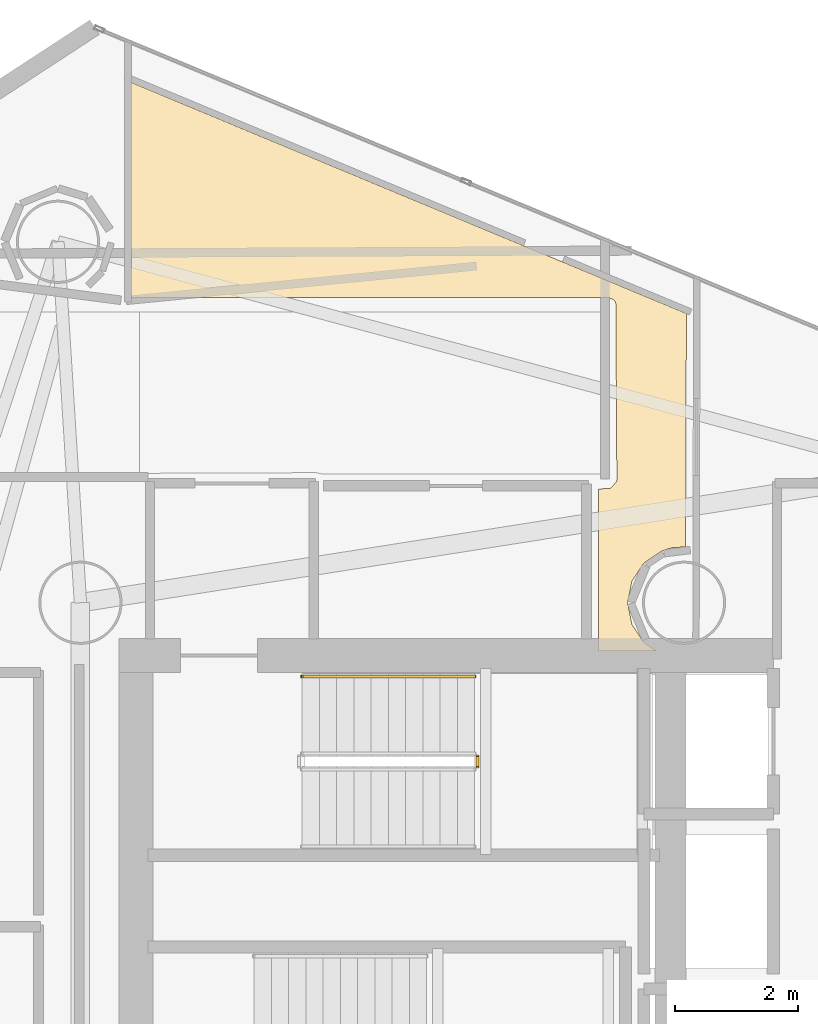
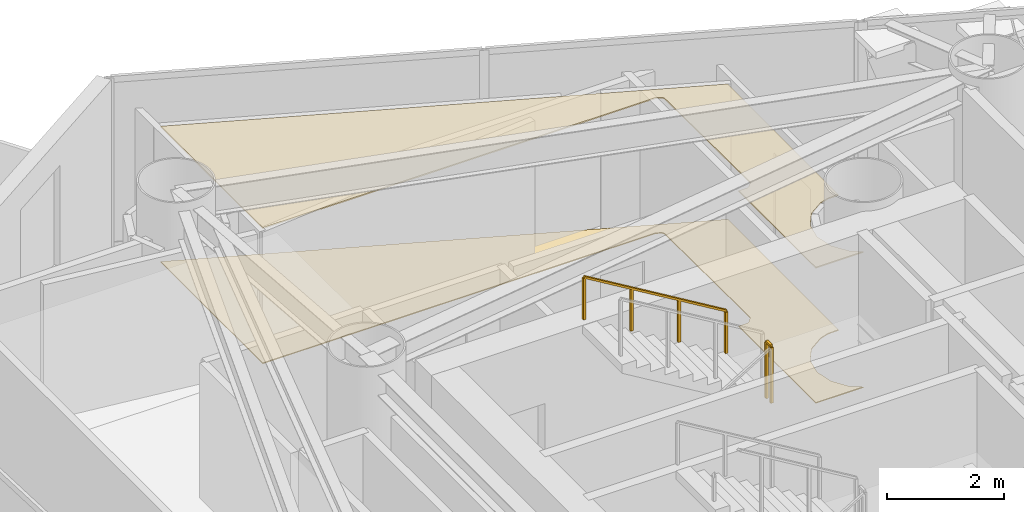
# One storey, part 22 of 22: 2 coverings, 2 railings.
"""IFC4 building model written with IfcOpenShell, lengths in metres."""

import ifcopenshell
import ifcopenshell.guid

model = None  # the IFC model being written
_history = None  # IfcOwnerHistory: only IFC2X3 demands one
_inside = {}  # id of a spatial element -> (the spatial element, [elements in it])
_under = {}  # id of a project, library or spatial element -> (it, [spatial elements below it])
_declared = {}  # id of a project -> (the project, [libraries it declares])
_typed = {}  # id of a type object -> (the type object, [elements of that type])
_made_of = {}  # id of a material, layer set ... -> (it, [elements and type objects made of it])


def new_model(schema):
    """Start an empty IFC model of exactly this schema.

    Asked for "IFC4X3", IfcOpenShell would pick the latest addendum, in which some entities
    have other attributes; the version numbers below select the first issue.
    IFC2X3 requires an IfcOwnerHistory on every rooted entity: one is made here for all.
    """
    global model, _history
    if schema == "IFC4X3":
        model = ifcopenshell.file(schema_version=(4, 3, 0, 0))
    else:
        model = ifcopenshell.file(schema=schema)
    _inside.clear()
    _under.clear()
    _declared.clear()
    _typed.clear()
    _made_of.clear()
    _history = None
    if model.schema == "IFC2X3":
        org = make("IfcOrganization", Name="unknown")
        user = make(
            "IfcPersonAndOrganization",
            ThePerson=make("IfcPerson", FamilyName="unknown"),
            TheOrganization=org,
        )
        app = make(
            "IfcApplication",
            ApplicationDeveloper=org,
            Version="unknown",
            ApplicationFullName="unknown",
            ApplicationIdentifier="unknown",
        )
        _history = make(
            "IfcOwnerHistory",
            OwningUser=user,
            OwningApplication=app,
            ChangeAction="ADDED",
            CreationDate=0,
        )
    return model


def make(cls, **values):
    """One entity of the class cls with the attributes given. An attribute that is None is left unset."""
    return model.create_entity(
        cls, **{name: value for name, value in values.items() if value is not None}
    )


def rooted(cls, **values):
    """An entity with a GlobalId (a new one), such as an element, a storey or a relation."""
    return make(cls, GlobalId=ifcopenshell.guid.new(), OwnerHistory=_history, **values)


def si_unit(unit_type, name, prefix=None):
    """IfcSIUnit, for example si_unit("LENGTHUNIT", "METRE", prefix="MILLI")."""
    return make("IfcSIUnit", UnitType=unit_type, Prefix=prefix, Name=name)


def assignment(units):
    """IfcUnitAssignment: the units of a project."""
    return None if units is None else make("IfcUnitAssignment", Units=units)


def point(xyz):
    """IfcCartesianPoint."""
    return None if xyz is None else make("IfcCartesianPoint", Coordinates=xyz)


def direction(xyz):
    """IfcDirection."""
    return None if xyz is None else make("IfcDirection", DirectionRatios=xyz)


def frame(location, z_axis=None, x_axis=None):
    """IfcAxis2Placement3D, a coordinate frame: its origin and axes. An axis left out is left unset."""
    return make(
        "IfcAxis2Placement3D",
        Location=point(location),
        Axis=direction(z_axis),
        RefDirection=direction(x_axis),
    )


def frame_2d(location, x_axis=None):
    """IfcAxis2Placement2D, a coordinate frame in the plane: its origin and x axis."""
    return make(
        "IfcAxis2Placement2D", Location=point(location), RefDirection=direction(x_axis)
    )


def origin():
    """The frame at (0, 0, 0) with its axes left unset."""
    return frame((0.0, 0.0, 0.0))


def origin_2d():
    """The frame at (0, 0) in the plane with its x axis left unset."""
    return frame_2d((0.0, 0.0))


def place(relative_to, where):
    """IfcLocalPlacement: puts the frame where relative to a parent placement (None: the world)."""
    return make(
        "IfcLocalPlacement", PlacementRelTo=relative_to, RelativePlacement=where
    )


def context(
    kind, dimensions, precision=None, world=None, true_north=None, identifier=None
):
    """IfcGeometricRepresentationContext, for example the 3D "Model" context."""
    return make(
        "IfcGeometricRepresentationContext",
        ContextIdentifier=identifier,
        ContextType=kind,
        CoordinateSpaceDimension=dimensions,
        Precision=precision,
        WorldCoordinateSystem=world,
        TrueNorth=true_north,
    )


def subcontext(parent, identifier, kind, view, scale=None):
    """IfcGeometricRepresentationSubContext, for example "Body" below "Model"."""
    return make(
        "IfcGeometricRepresentationSubContext",
        ContextIdentifier=identifier,
        ContextType=kind,
        ParentContext=parent,
        TargetScale=scale,
        TargetView=view,
    )


def project(units=None, contexts=None):
    """IfcProject with its units and contexts."""
    return rooted(
        "IfcProject",
        Name="project",
        RepresentationContexts=contexts,
        UnitsInContext=assignment(units),
    )


def spatial(cls, under=None, at=None, **own):
    """A site, building, storey or space (cls), placed at a placement, below another one or the project."""
    s = rooted(cls, ObjectPlacement=at, **own)
    if under is not None:
        _under.setdefault(under.id(), (under, []))[1].append(s)
    return s


def polyline(points):
    """IfcPolyline through the points."""
    return make("IfcPolyline", Points=[point(p) for p in points])


def profile(cls, at=None, kind="AREA", **sizes):
    """A parametric profile (cls). Its sizes go by their IFC names, for example OverallWidth=200.0."""
    return make(cls, ProfileType=kind, Position=at, **sizes)


def rectangle(**sizes):
    """IfcRectangleProfileDef."""
    return profile("IfcRectangleProfileDef", **sizes)


def outline(outer, holes=None, kind="AREA"):
    """IfcArbitraryClosedProfileDef: a profile drawn as a closed curve; with holes, ...WithVoids."""
    if holes is None:
        return make("IfcArbitraryClosedProfileDef", ProfileType=kind, OuterCurve=outer)
    return make(
        "IfcArbitraryProfileDefWithVoids",
        ProfileType=kind,
        OuterCurve=outer,
        InnerCurves=holes,
    )


def extrude(swept, where, along, depth):
    """IfcExtrudedAreaSolid: the profile swept, set in the frame where, extruded along a direction by depth."""
    return make(
        "IfcExtrudedAreaSolid",
        SweptArea=swept,
        Position=where,
        ExtrudedDirection=direction(along),
        Depth=depth,
    )


def shape(context_of_items, identifier, shape_type, items):
    """IfcShapeRepresentation: the items that make up one representation, for example the "Body"."""
    return make(
        "IfcShapeRepresentation",
        ContextOfItems=context_of_items,
        RepresentationIdentifier=identifier,
        RepresentationType=shape_type,
        Items=items,
    )


def material(Name=None, Category=None):
    """IfcMaterial."""
    return make("IfcMaterial", Name=Name, Category=Category)


def layer(
    of_material, thickness, ventilated=None, Name=None, Category=None, Priority=None
):
    """IfcMaterialLayer: one layer of a wall or slab, of a material (None: an air gap)."""
    return make(
        "IfcMaterialLayer",
        Material=of_material,
        LayerThickness=thickness,
        IsVentilated=ventilated,
        Name=Name,
        Category=Category,
        Priority=Priority,
    )


def layer_set(layers, Name=None):
    """IfcMaterialLayerSet."""
    return make("IfcMaterialLayerSet", MaterialLayers=layers, LayerSetName=Name)


def made_of(thing, what):
    """Note that an element or type object is made of a material, layer set ...; save() writes the relation."""
    if what is not None:
        _made_of.setdefault(what.id(), (what, []))[1].append(thing)
    return thing


def type_object(cls, material=None, **own):
    """A type object (cls), such as IfcWallType, which elements share."""
    return made_of(rooted(cls, **own), material)


def element(
    cls,
    number,
    at=None,
    inside=None,
    cuts=None,
    type_object=None,
    material=None,
    context=None,
    identifier="Body",
    shape_type=None,
    held_by="IfcProductDefinitionShape",
    body=None,
    shapes=None,
    **own,
):
    """One element of the class cls, such as IfcWall. Its Tag is "e" and its number.

    at: its placement. inside: the storey or other place that contains it. cuts: it is an
    opening in that element (IfcRelVoidsElement). A single representation is given by context,
    identifier, shape_type and body (its items); several are given by shapes. held_by: the class
    of the entity that holds the representations. save() writes the other relations.
    """
    e = rooted(cls, Tag="e%d" % number, ObjectPlacement=at, **own)
    if body is not None:
        shapes = [shape(context, identifier, shape_type, body)]
    if shapes is not None:
        e.Representation = make(held_by, Representations=shapes)
    if inside is not None:
        _inside.setdefault(inside.id(), (inside, []))[1].append(e)
    if cuts is not None:
        rooted(
            "IfcRelVoidsElement", RelatingBuildingElement=cuts, RelatedOpeningElement=e
        )
    if type_object is not None:
        _typed.setdefault(type_object.id(), (type_object, []))[1].append(e)
    return made_of(e, material)


def aggregate(whole, parts):
    """IfcRelAggregates: a whole, such as a stair, and the parts it consists of."""
    return rooted("IfcRelAggregates", RelatingObject=whole, RelatedObjects=parts)


def save(model, path):
    """Write the relations noted so far, then the file.

    IfcRelAggregates (storeys below a building ...), IfcRelContainedInSpatialStructure (elements
    in a storey), IfcRelDefinesByType, IfcRelAssociatesMaterial and IfcRelDeclares: one each for
    every whole, place, type object, material and project.
    """
    for whole, parts in _under.values():
        aggregate(whole, parts)
    for where, things in _inside.values():
        rooted(
            "IfcRelContainedInSpatialStructure",
            RelatedElements=things,
            RelatingStructure=where,
        )
    for kind, things in _typed.values():
        rooted("IfcRelDefinesByType", RelatedObjects=things, RelatingType=kind)
    for what, things in _made_of.values():
        rooted("IfcRelAssociatesMaterial", RelatedObjects=things, RelatingMaterial=what)
    for by, libraries in _declared.values():
        rooted("IfcRelDeclares", RelatingContext=by, RelatedDefinitions=libraries)
    model.write(path)


model = new_model("IFC4")

# Units and contexts
model_context = context("Model", 3, precision=1e-05, world=origin(), true_north=direction((0.0, 1.0)))
body_context = subcontext(model_context, "Body", "Model", "MODEL_VIEW")
ifc_project = project(units=[si_unit("LENGTHUNIT", "METRE"), si_unit("AREAUNIT", "SQUARE_METRE"), si_unit("VOLUMEUNIT", "CUBIC_METRE"), si_unit("PLANEANGLEUNIT", "RADIAN"), si_unit("MASSUNIT", "GRAM", prefix="KILO")], contexts=[model_context])

# Site, building, storey
site_placement = place(None, origin())
site = spatial("IfcSite", under=ifc_project, at=site_placement, CompositionType="ELEMENT")
building_placement = place(site_placement, origin())
building = spatial("IfcBuilding", under=site, at=building_placement, Name="Qianvela Tower", CompositionType="ELEMENT")
storey_placement = place(building_placement, frame((0.0, 0.0, 158.699951171875)))
storey = spatial("IfcBuildingStorey", under=building, at=storey_placement, Name="L40", CompositionType="ELEMENT", Elevation=158.699951171875)

# Coverings
ifc_material_1 = material(Name="Perforated Mineral Acoustic Ceiling Tile")
ifc_layer_1 = layer(ifc_material_1, 0.02490234375)
ifc_layer_set_1 = layer_set([ifc_layer_1], Name="Perforated Mineral Acoustic Ceiling Tile")
covering_type_1 = type_object("IfcCoveringType", Name="COV-CEIL-ACOUSTIC-25", PredefinedType="CEILING", material=ifc_layer_set_1)
covering_1_placement = place(storey_placement, frame((0.0, 0.0, 2.81494140625)))
element("IfcCovering", 1, at=covering_1_placement, inside=storey, type_object=covering_type_1, Name="L40 Acoustic Ceiling Quiet Reading Study L40-04", PredefinedType="CEILING", context=body_context, shape_type="SweptSolid", body=[
    extrude(outline(polyline([(37.94921875, 32.77001953125), (37.010009765625, 32.77001953125), (37.010009765625, 35.400390625), (37.166015625, 35.401611328125), (37.17431640625, 35.402099609375), (37.1826171875, 35.4033203125), (37.1904296875, 35.405517578125), (37.1982421875, 35.408447265625), (37.20556640625, 35.412353515625), (37.212646484375, 35.416748046875), (37.218994140625, 35.422119140625), (37.224853515625, 35.427734375), (37.288818359375, 35.498291015625), (37.293701171875, 35.504150390625), (37.2978515625, 35.51025390625), (37.301513671875, 35.516845703125), (37.30419921875, 35.523681640625), (37.306640625, 35.530517578125), (37.308349609375, 35.537841796875), (37.309326171875, 35.545166015625), (37.3095703125, 35.552734375), (37.291748046875, 38.4013671875), (37.29150390625, 38.409423828125), (37.2900390625, 38.41748046875), (37.2880859375, 38.42529296875), (37.28515625, 38.43310546875), (37.281494140625, 38.440185546875), (37.277099609375, 38.447021484375), (37.27197265625, 38.45361328125), (37.266357421875, 38.45947265625), (37.260009765625, 38.464599609375), (37.253173828125, 38.46923828125), (37.24609375, 38.47314453125), (37.18408203125, 38.502197265625), (37.176025390625, 38.505615234375), (37.16748046875, 38.508056640625), (37.15869140625, 38.509521484375), (37.14990234375, 38.510009765625), (29.422119140625, 38.510009765625), (29.422119140625, 41.998046875), (38.4384765625, 38.24609375), (38.426025390625, 34.452880859375), (38.2353515625, 34.448974609375), (38.22802734375, 34.448486328125), (38.220947265625, 34.447265625), (38.2138671875, 34.445556640625), (38.05712890625, 34.39794921875), (38.0498046875, 34.395263671875), (38.042724609375, 34.39208984375), (38.035888671875, 34.387939453125), (37.76513671875, 34.20703125), (37.7587890625, 34.202392578125), (37.7529296875, 34.197021484375), (37.747802734375, 34.191162109375), (37.742919921875, 34.184814453125), (37.56201171875, 33.9140625), (37.55810546875, 33.9072265625), (37.5546875, 33.900146484375), (37.552001953125, 33.892822265625), (37.550048828125, 33.885009765625), (37.486572265625, 33.565673828125), (37.4853515625, 33.557861328125), (37.485107421875, 33.550048828125), (37.4853515625, 33.542236328125), (37.486572265625, 33.534423828125), (37.550048828125, 33.21484375), (37.552001953125, 33.207275390625), (37.5546875, 33.19970703125), (37.55810546875, 33.192626953125), (37.56201171875, 33.18603515625), (37.742919921875, 32.9150390625), (37.747802734375, 32.90869140625), (37.7529296875, 32.903076171875), (37.7587890625, 32.897705078125), (37.76513671875, 32.89306640625), (37.94921875, 32.77001953125)])), origin(), (0.0, 0.0, 1.0), 0.025146484375),
])
ifc_material_2 = material(Name="Engineered Acoustic Oak Timber Flooring", Category="wood")
ifc_layer_2 = layer(ifc_material_2, 0.02001953125)
ifc_layer_set_2 = layer_set([ifc_layer_2], Name="Engineered Acoustic Oak Timber Flooring")
covering_type_2 = type_object("IfcCoveringType", Name="COV-FLOOR-OAK-20", PredefinedType="FLOORING", material=ifc_layer_set_2)
covering_2_placement = place(storey_placement, origin())
element("IfcCovering", 2, at=covering_2_placement, inside=storey, type_object=covering_type_2, Name="L40 Finish Flooring Quiet Reading Study L40-04", PredefinedType="FLOORING", context=body_context, shape_type="SweptSolid", body=[
    extrude(outline(polyline([(37.94921875, 32.77001953125), (37.010009765625, 32.77001953125), (37.010009765625, 35.400390625), (37.166015625, 35.401611328125), (37.17431640625, 35.402099609375), (37.1826171875, 35.4033203125), (37.1904296875, 35.405517578125), (37.1982421875, 35.408447265625), (37.20556640625, 35.412353515625), (37.212646484375, 35.416748046875), (37.218994140625, 35.422119140625), (37.224853515625, 35.427734375), (37.288818359375, 35.498291015625), (37.293701171875, 35.504150390625), (37.2978515625, 35.51025390625), (37.301513671875, 35.516845703125), (37.30419921875, 35.523681640625), (37.306640625, 35.530517578125), (37.308349609375, 35.537841796875), (37.309326171875, 35.545166015625), (37.3095703125, 35.552734375), (37.291748046875, 38.4013671875), (37.29150390625, 38.409423828125), (37.2900390625, 38.41748046875), (37.2880859375, 38.42529296875), (37.28515625, 38.43310546875), (37.281494140625, 38.440185546875), (37.277099609375, 38.447021484375), (37.27197265625, 38.45361328125), (37.266357421875, 38.45947265625), (37.260009765625, 38.464599609375), (37.253173828125, 38.46923828125), (37.24609375, 38.47314453125), (37.18408203125, 38.502197265625), (37.176025390625, 38.505615234375), (37.16748046875, 38.508056640625), (37.15869140625, 38.509521484375), (37.14990234375, 38.510009765625), (29.422119140625, 38.510009765625), (29.422119140625, 41.998046875), (38.4384765625, 38.24609375), (38.426025390625, 34.452880859375), (38.2353515625, 34.448974609375), (38.22802734375, 34.448486328125), (38.220947265625, 34.447265625), (38.2138671875, 34.445556640625), (38.05712890625, 34.39794921875), (38.0498046875, 34.395263671875), (38.042724609375, 34.39208984375), (38.035888671875, 34.387939453125), (37.76513671875, 34.20703125), (37.7587890625, 34.202392578125), (37.7529296875, 34.197021484375), (37.747802734375, 34.191162109375), (37.742919921875, 34.184814453125), (37.56201171875, 33.9140625), (37.55810546875, 33.9072265625), (37.5546875, 33.900146484375), (37.552001953125, 33.892822265625), (37.550048828125, 33.885009765625), (37.486572265625, 33.565673828125), (37.4853515625, 33.557861328125), (37.485107421875, 33.550048828125), (37.4853515625, 33.542236328125), (37.486572265625, 33.534423828125), (37.550048828125, 33.21484375), (37.552001953125, 33.207275390625), (37.5546875, 33.19970703125), (37.55810546875, 33.192626953125), (37.56201171875, 33.18603515625), (37.742919921875, 32.9150390625), (37.747802734375, 32.90869140625), (37.7529296875, 32.903076171875), (37.7587890625, 32.897705078125), (37.76513671875, 32.89306640625), (37.94921875, 32.77001953125)])), origin(), (0.0, 0.0, 1.0), 0.02001953125),
])

# Railings
ifc_material_3 = material(Name="Painted Tubular Steel Q355B", Category="steel")
railing_type_1 = type_object("IfcRailingType", Name="RL-STAIR-GUARD-1200", PredefinedType="GUARDRAIL", material=ifc_material_3)
railing_1_placement = place(storey_placement, frame((35.050048828125, 30.889892578125, 1.85009765625)))
element("IfcRailing", 3, at=railing_1_placement, inside=storey, type_object=railing_type_1, Name="L40 ST-1 stair guard 2", PredefinedType="GUARDRAIL", context=body_context, shape_type="SweptSolid", body=[
    extrude(rectangle(XDim=0.050048828125, YDim=0.0400390625, at=origin_2d()), frame((0.0, 0.0, 1.179931640625), z_axis=(0.0, 1.0, 0.0), x_axis=(-1.0, 0.0, 0.0)), (0.0, 0.0, 1.0), 0.16015625),
    extrude(rectangle(XDim=0.050048828125, YDim=0.050048828125, at=origin_2d()), origin(), (0.0, 0.0, 1.0), 1.159912109375),
    extrude(rectangle(XDim=0.050048828125, YDim=0.050048828125, at=origin_2d()), frame((0.0, 0.16015625, 0.0)), (0.0, 0.0, 1.0), 1.159912109375),
])
ifc_material_4 = material(Name="Brushed Stainless Steel 304", Category="steel")
railing_type_2 = type_object("IfcRailingType", Name="RL-STAIR-HANDRAIL-900", PredefinedType="HANDRAIL", material=ifc_material_4)
railing_2_placement = place(storey_placement, frame((35.0, 32.35009765625, 2.018310546875)))
element("IfcRailing", 4, at=railing_2_placement, inside=storey, type_object=railing_type_2, Name="L40 ST-1 stair handrail 2", PredefinedType="HANDRAIL", context=body_context, shape_type="SweptSolid", body=[
    extrude(rectangle(XDim=0.050048828125, YDim=0.0400390625, at=origin_2d()), frame((0.0, 0.0, 0.8798828125), z_axis=(-0.857275202839, 0.0, 0.514858452973), x_axis=(0.0, -1.0, 0.0)), (0.0, 0.0, 1.0), 3.26611328125),
    extrude(rectangle(XDim=0.050048828125, YDim=0.050048828125, at=origin_2d()), origin(), (0.0, 0.0, 1.0), 0.85986328125),
    extrude(rectangle(XDim=0.050048828125, YDim=0.050048828125, at=origin_2d()), frame((-0.933349609375, 0.0, 0.560546875)), (0.0, 0.0, 1.0), 0.85986328125),
    extrude(rectangle(XDim=0.050048828125, YDim=0.050048828125, at=origin_2d()), frame((-1.86669921875, 0.0, 1.12109375)), (0.0, 0.0, 1.0), 0.85986328125),
    extrude(rectangle(XDim=0.050048828125, YDim=0.050048828125, at=origin_2d()), frame((-2.800048828125, 0.0, 1.681640625)), (0.0, 0.0, 1.0), 0.85986328125),
])

save(model, "model.ifc")
